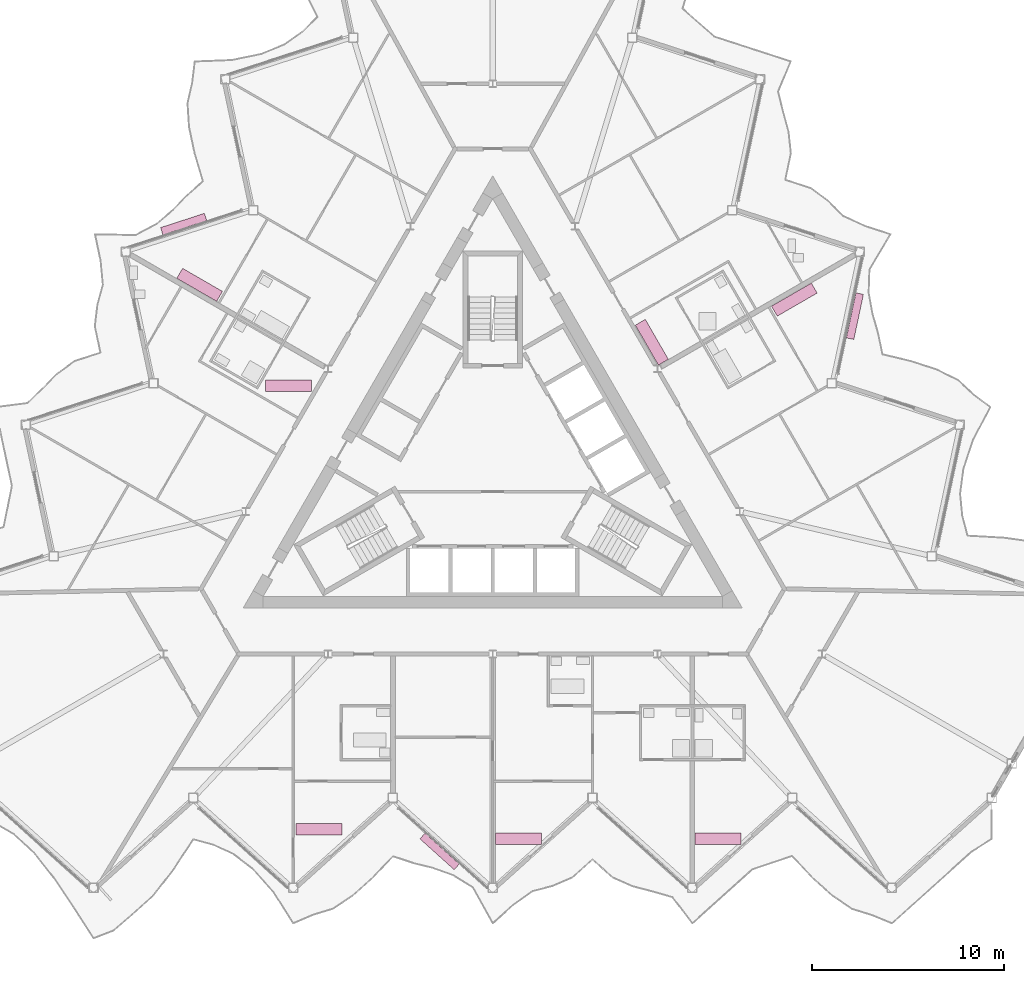
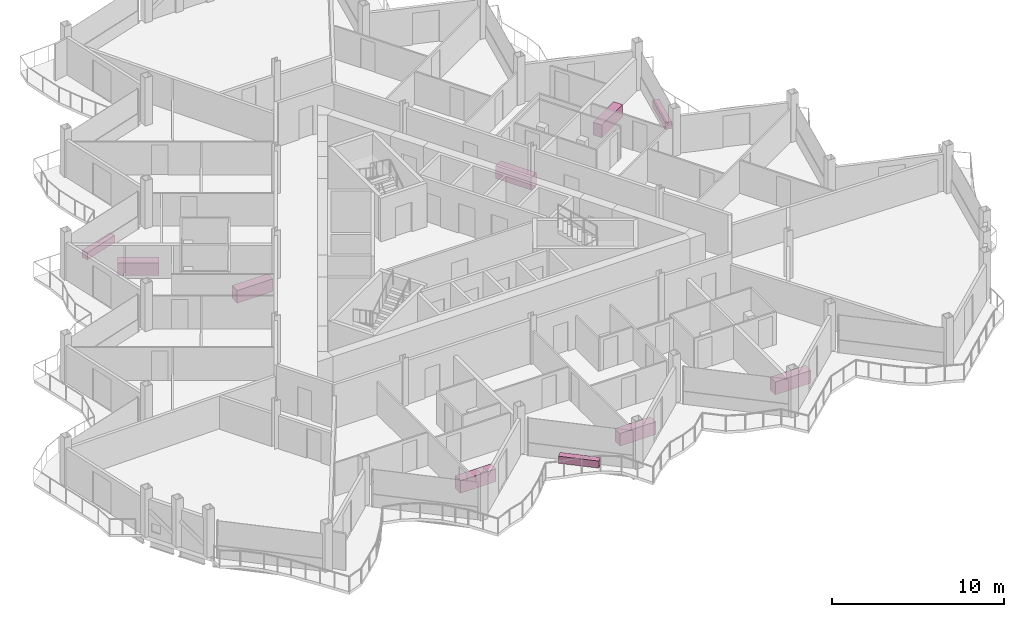
# One storey, part 25 of 25: 10 furniture elements.
"""IFC4 building model written with IfcOpenShell, lengths in metres."""

from ifc_helpers import new_model, si_unit, direction, frame, origin, origin_2d, place, context, subcontext, project, spatial, rectangle, extrude, material, type_object, element, save


model = new_model("IFC4")

# Units and contexts
model_context = context("Model", 3, precision=1e-05, world=origin(), true_north=direction((0.0, 1.0)))
body_context = subcontext(model_context, "Body", "Model", "MODEL_VIEW")
ifc_project = project(units=[si_unit("LENGTHUNIT", "METRE"), si_unit("AREAUNIT", "SQUARE_METRE"), si_unit("VOLUMEUNIT", "CUBIC_METRE"), si_unit("PLANEANGLEUNIT", "RADIAN"), si_unit("MASSUNIT", "GRAM", prefix="KILO")], contexts=[model_context])

# Site, building, storey
site_placement = place(None, origin())
site = spatial("IfcSite", under=ifc_project, at=site_placement, CompositionType="ELEMENT")
building_placement = place(site_placement, origin())
building = spatial("IfcBuilding", under=site, at=building_placement, Name="Cormorant Prow Tower", CompositionType="ELEMENT")
storey_placement = place(building_placement, frame((0.0, 0.0, 391.60009765625)))
storey = spatial("IfcBuildingStorey", under=building, at=storey_placement, Name="L89", CompositionType="ELEMENT", Elevation=391.60009765625)

# Furniture
ifc_material_1 = material(Name="Terracotta", Category="masonry")
furniture_type_1 = type_object("IfcFurnitureType", Name="Balcony planter 2400x400x500", AssemblyPlace="NOTDEFINED", PredefinedType="USERDEFINED", material=ifc_material_1)
for number, where, z_axis, x_axis, name in (
    (1, (-2.767333984375, -20.191650390625, 0.0), (0.0, 0.0, 1.0), (0.743144827638, -0.669130603959, 0.0), "Balcony planter S04"),
    (2, (18.8701171875, 7.69921875, 0.0), (0.0, 0.0, 1.0), (0.207911649162, 0.978147609588, 0.0), "Balcony planter ENE04"),
    (3, (-16.102783203125, 12.492431640625, 0.0), (0.0, 0.0, 1.0), (-0.951056492904, -0.309017066365, 0.0), "Balcony planter WNW04"),
):
    element("IfcFurniture", number, at=place(storey_placement, frame(where, z_axis=z_axis, x_axis=x_axis)), inside=storey, type_object=furniture_type_1, Name=name, ObjectType="PLANTER", PredefinedType="USERDEFINED", context=body_context, shape_type="SweptSolid", body=[
        extrude(rectangle(XDim=2.39990234375, YDim=0.39990234375, at=origin_2d()), origin(), (0.0, 0.0, 1.0), 0.5),
    ])
ifc_material_2 = material(Name="Timber joinery", Category="wood")
furniture_type_2 = type_object("IfcFurnitureType", Name="Kitchen counter 2400x600", AssemblyPlace="NOTDEFINED", PredefinedType="NOTDEFINED", material=ifc_material_2)
for number, where, z_axis, x_axis, name in (
    (4, (-9.054931640625, -19.033447265625, 0.0), (0.0, 0.0, 1.0), (1.0, 0.0, 0.0), "Kitchen counter"),
    (5, (1.344970703125, -19.533447265625, 0.0), (0.0, 0.0, 1.0), (1.0, 0.0, 0.0), "Kitchen counter"),
    (6, (11.7451171875, -19.533447265625, 0.0), (0.0, 0.0, 1.0), (1.0, 0.0, 0.0), "Kitchen counter"),
    (7, (15.715087890625, 8.559326171875, 0.0), (0.0, 0.0, 1.0), (0.866025403784, 0.5, 0.0), "Kitchen counter"),
    (8, (8.291259765625, 6.340087890625, 0.0), (0.0, 0.0, 1.0), (-0.5, 0.866025403784, 0.0), "Kitchen counter"),
    (9, (-15.27001953125, 9.330078125, 0.0), (0.0, 0.0, 1.0), (-0.866025403784, 0.5, 0.0), "Kitchen counter"),
    (10, (-10.644775390625, 4.08447265625, 0.0), (0.0, 0.0, 1.0), (1.0, 0.0, 0.0), "Kitchen counter"),
):
    element("IfcFurniture", number, at=place(storey_placement, frame(where, z_axis=z_axis, x_axis=x_axis)), inside=storey, type_object=furniture_type_2, Name=name, PredefinedType="NOTDEFINED", context=body_context, shape_type="SweptSolid", body=[
        extrude(rectangle(XDim=2.39990234375, YDim=0.60009765625, at=origin_2d()), origin(), (0.0, 0.0, 1.0), 0.89990234375),
    ])

save(model, "model.ifc")
